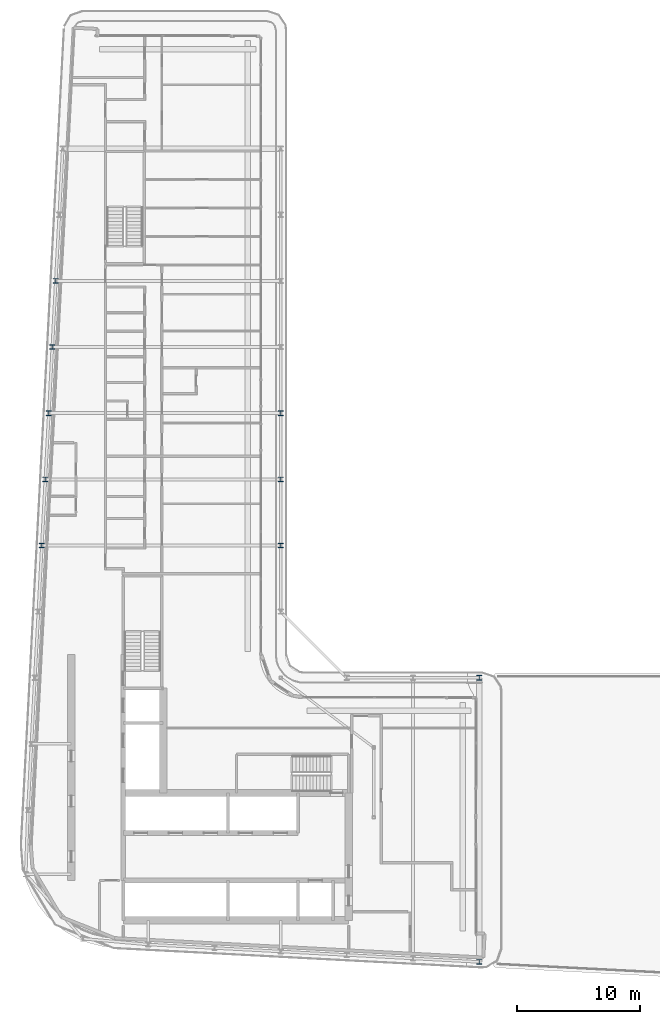
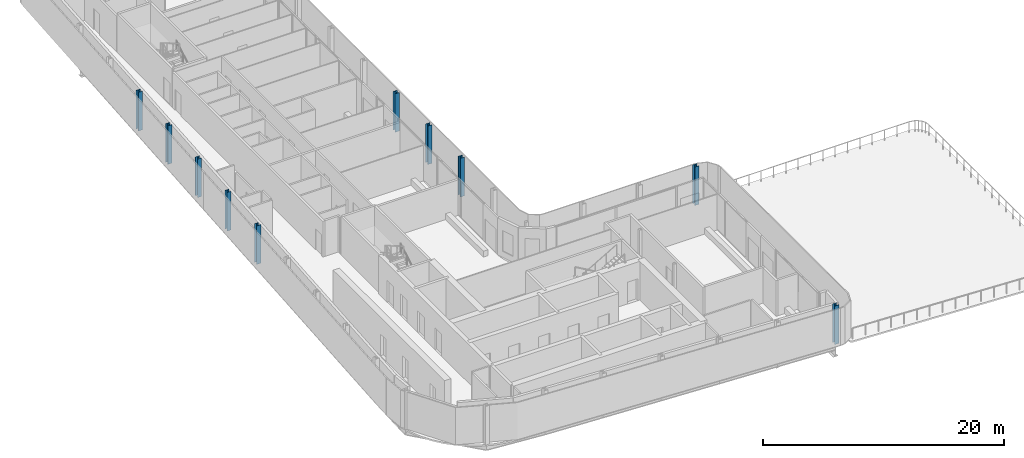
# One storey, part 3 of 22: 10 columns.
"""IFC4 building model written with IfcOpenShell, lengths in metres."""

from ifc_helpers import new_model, si_unit, direction, frame, origin, origin_2d, place, context, subcontext, project, spatial, i_section, extrude, material, material_profile, profile_set, type_object, element, save


model = new_model("IFC4")

# Units and contexts
model_context = context("Model", 3, precision=1e-05, world=origin(), true_north=direction((0.0, 1.0)))
body_context = subcontext(model_context, "Body", "Model", "MODEL_VIEW")
ifc_project = project(units=[si_unit("LENGTHUNIT", "METRE"), si_unit("AREAUNIT", "SQUARE_METRE"), si_unit("VOLUMEUNIT", "CUBIC_METRE"), si_unit("PLANEANGLEUNIT", "RADIAN"), si_unit("MASSUNIT", "GRAM", prefix="KILO")], contexts=[model_context])

# Site, building, storey
site_placement = place(None, origin())
site = spatial("IfcSite", under=ifc_project, at=site_placement, CompositionType="ELEMENT")
building_placement = place(site_placement, origin())
building = spatial("IfcBuilding", under=site, at=building_placement, Name="Kheshtan School and Residences Tower", CompositionType="ELEMENT")
storey_placement = place(building_placement, frame((0.0, 0.0, 274.699951171875)))
storey = spatial("IfcBuildingStorey", under=building, at=storey_placement, Name="L64", CompositionType="ELEMENT", Elevation=274.699951171875)

# Columns
ifc_material = material(Name="Steel ASTM A992 Grade 50", Category="steel")
ifc_material_profile = material_profile(ifc_material, i_section(OverallWidth=0.39501953125, OverallDepth=0.3798828125, WebThickness=0.018798828125, FlangeThickness=0.0302734375, FilletRadius=0.011474609375, at=origin_2d()), Name="W360x237")
ifc_profile_set = profile_set([ifc_material_profile], Name="Steel ASTM A992 Grade 50")
column_type = type_object("IfcColumnType", Name="Column C5 W360x237 ASTM A992 Grade 50", PredefinedType="COLUMN", material=ifc_profile_set)
for number, where, z_axis, x_axis, name in (
    (1, (63.800048828125, 22.410888671875, 0.0), (0.0, 0.0, 1.0), (1.0, 0.0, 0.0), "Column C016"),
    (2, (63.800048828125, 45.60009765625, 0.0), (0.0, 0.0, 1.0), (1.0, 0.0, 0.0), "Column C063"),
    (3, (28.10595703125, 56.39990234375, 0.0), (0.0, 0.0, 1.0), (1.0, 0.0, 0.0), "Column C080"),
    (4, (47.60009765625, 56.39990234375, 0.0), (0.0, 0.0, 1.0), (1.0, 0.0, 0.0), "Column C081"),
    (5, (28.389892578125, 61.800048828125, 0.0), (0.0, 0.0, 1.0), (1.0, 0.0, 0.0), "Column C082"),
    (6, (47.60009765625, 61.800048828125, 0.0), (0.0, 0.0, 1.0), (1.0, 0.0, 0.0), "Column C083"),
    (7, (28.674072265625, 67.199951171875, 0.0), (0.0, 0.0, 1.0), (1.0, 0.0, 0.0), "Column C084"),
    (8, (47.60009765625, 67.199951171875, 0.0), (0.0, 0.0, 1.0), (1.0, 0.0, 0.0), "Column C085"),
    (9, (28.9580078125, 72.60009765625, 0.0), (0.0, 0.0, 1.0), (1.0, 0.0, 0.0), "Column C086"),
    (10, (29.242919921875, 78.0, 0.0), (0.0, 0.0, 1.0), (1.0, 0.0, 0.0), "Column C088"),
):
    element("IfcColumn", number, at=place(storey_placement, frame(where, z_axis=z_axis, x_axis=x_axis)), inside=storey, type_object=column_type, Name=name, PredefinedType="COLUMN", context=body_context, shape_type="SweptSolid", body=[
        extrude(i_section(OverallWidth=0.39501953125, OverallDepth=0.3798828125, WebThickness=0.018798828125, FlangeThickness=0.0302734375, FilletRadius=0.011474609375, at=origin_2d()), origin(), (0.0, 0.0, 1.0), 3.900146484375),
    ])

save(model, "model.ifc")
